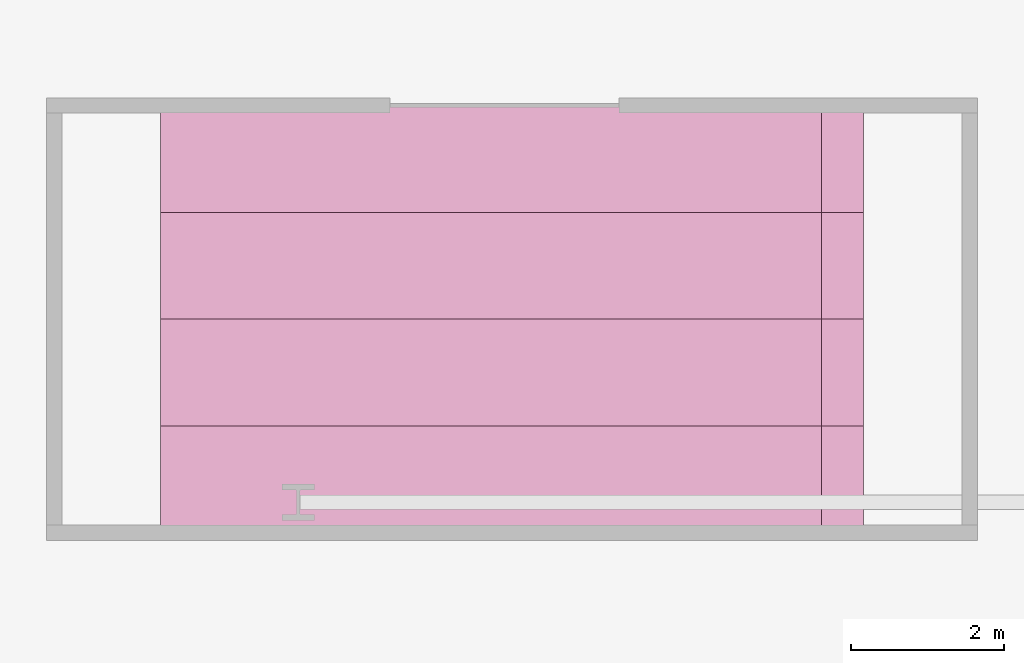
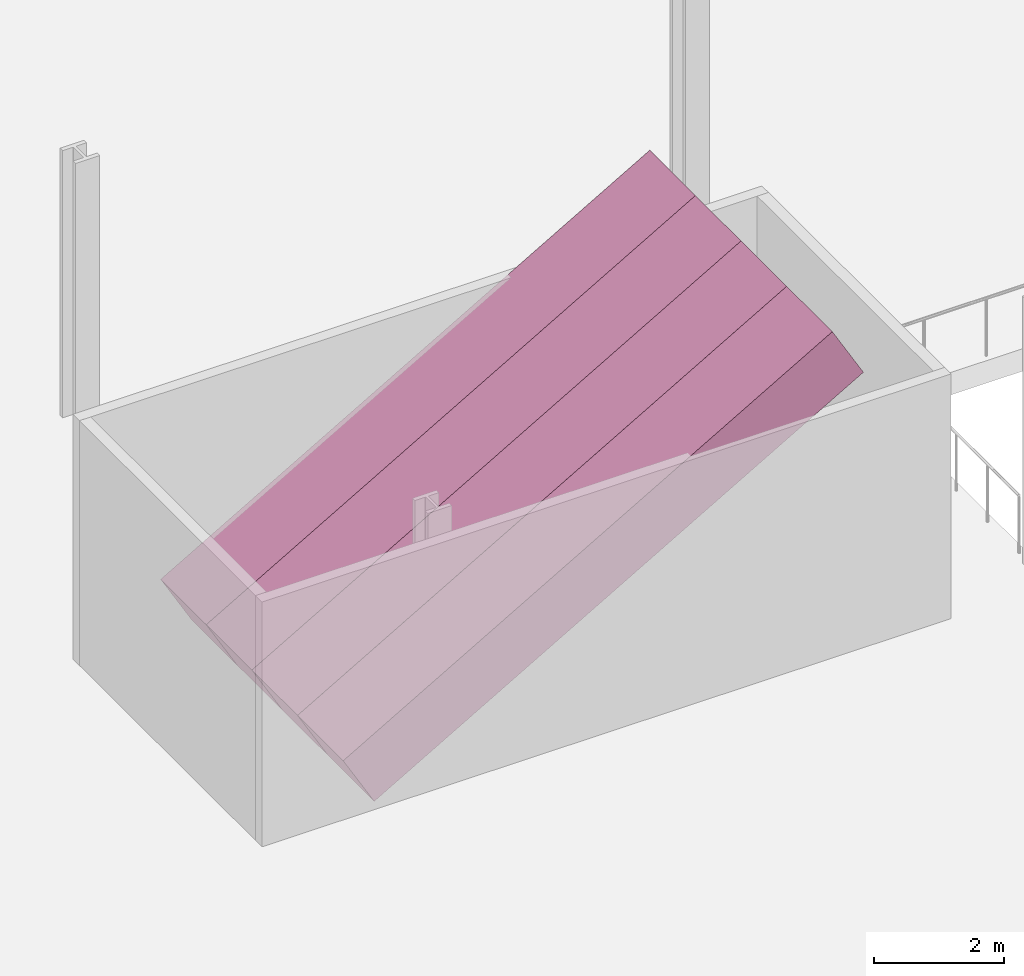
# One storey, part 19 of 19: 4 transport elements.
"""IFC4 building model written with IfcOpenShell, lengths in metres."""

from ifc_helpers import new_model, si_unit, direction, frame, origin, origin_2d, place, context, subcontext, project, spatial, rectangle, extrude, material, material_profile, profile_set, type_object, element, save


model = new_model("IFC4")

# Units and contexts
model_context = context("Model", 3, precision=1e-05, world=origin(), true_north=direction((0.0, 1.0)))
body_context = subcontext(model_context, "Body", "Model", "MODEL_VIEW")
ifc_project = project(units=[si_unit("LENGTHUNIT", "METRE"), si_unit("AREAUNIT", "SQUARE_METRE"), si_unit("VOLUMEUNIT", "CUBIC_METRE"), si_unit("PLANEANGLEUNIT", "RADIAN"), si_unit("MASSUNIT", "GRAM", prefix="KILO")], contexts=[model_context])

# Site, building, storey
site_placement = place(None, origin())
site = spatial("IfcSite", under=ifc_project, at=site_placement, CompositionType="ELEMENT")
building_placement = place(site_placement, origin())
building = spatial("IfcBuilding", under=site, at=building_placement, Name="Kheshtan School and Residences Tower", CompositionType="ELEMENT")
storey_placement = place(building_placement, frame((0.0, 0.0, -5.0)))
storey = spatial("IfcBuildingStorey", under=building, at=storey_placement, Name="B1", CompositionType="ELEMENT", Elevation=-5.0)

# Transport elements
ifc_material = material(Name="Stainless steel escalator truss", Category="steel")
ifc_material_profile = material_profile(ifc_material, rectangle(XDim=1.39990234375, YDim=1.10009765625, at=origin_2d()), Name="Escalator 1400 truss")
ifc_profile_set = profile_set([ifc_material_profile], Name="Stainless steel escalator truss")
transport_element_type = type_object("IfcTransportElementType", Name="Escalator 1400 truss", PredefinedType="ESCALATOR", material=ifc_profile_set)
for number, where, z_axis, x_axis, name in (
    (1, (67.669921875, 56.699951171875, 0.550048828125), (0.866022959057, 0.0, 0.500004234368), (0.0, 1.0, 0.0), "Escalator ES11 (up)"),
    (2, (67.669921875, 58.10009765625, 0.550048828125), (0.866022959057, 0.0, 0.500004234368), (0.0, 1.0, 0.0), "Escalator ES12 (down)"),
    (3, (67.669921875, 59.5, 0.550048828125), (0.866022959057, 0.0, 0.500004234368), (0.0, 1.0, 0.0), "Escalator ES13 (up)"),
    (4, (67.669921875, 60.89990234375, 0.550048828125), (0.866022959057, 0.0, 0.500004234368), (0.0, 1.0, 0.0), "Escalator ES14 (down)"),
):
    element("IfcTransportElement", number, at=place(storey_placement, frame(where, z_axis=z_axis, x_axis=x_axis)), inside=storey, type_object=transport_element_type, Name=name, PredefinedType="ESCALATOR", context=body_context, shape_type="SweptSolid", body=[
        extrude(rectangle(XDim=1.39990234375, YDim=1.10009765625, at=origin_2d()), origin(), (0.0, 0.0, 1.0), 10.0),
    ])

save(model, "model.ifc")
